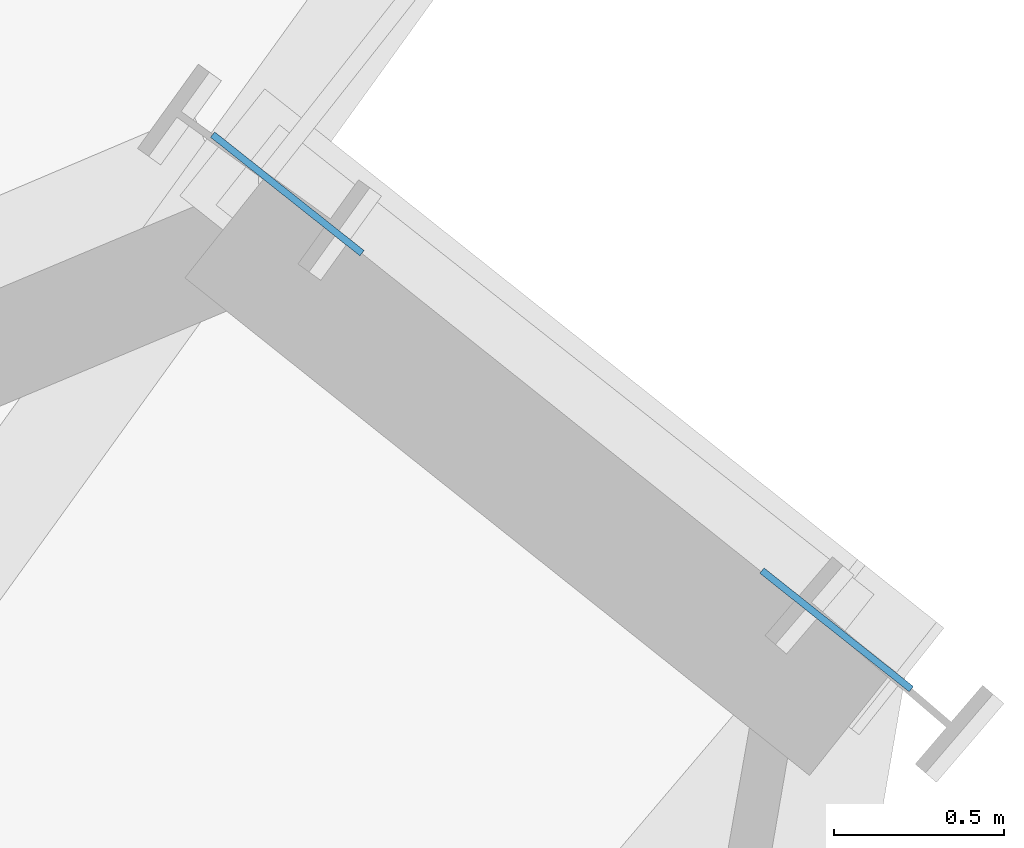
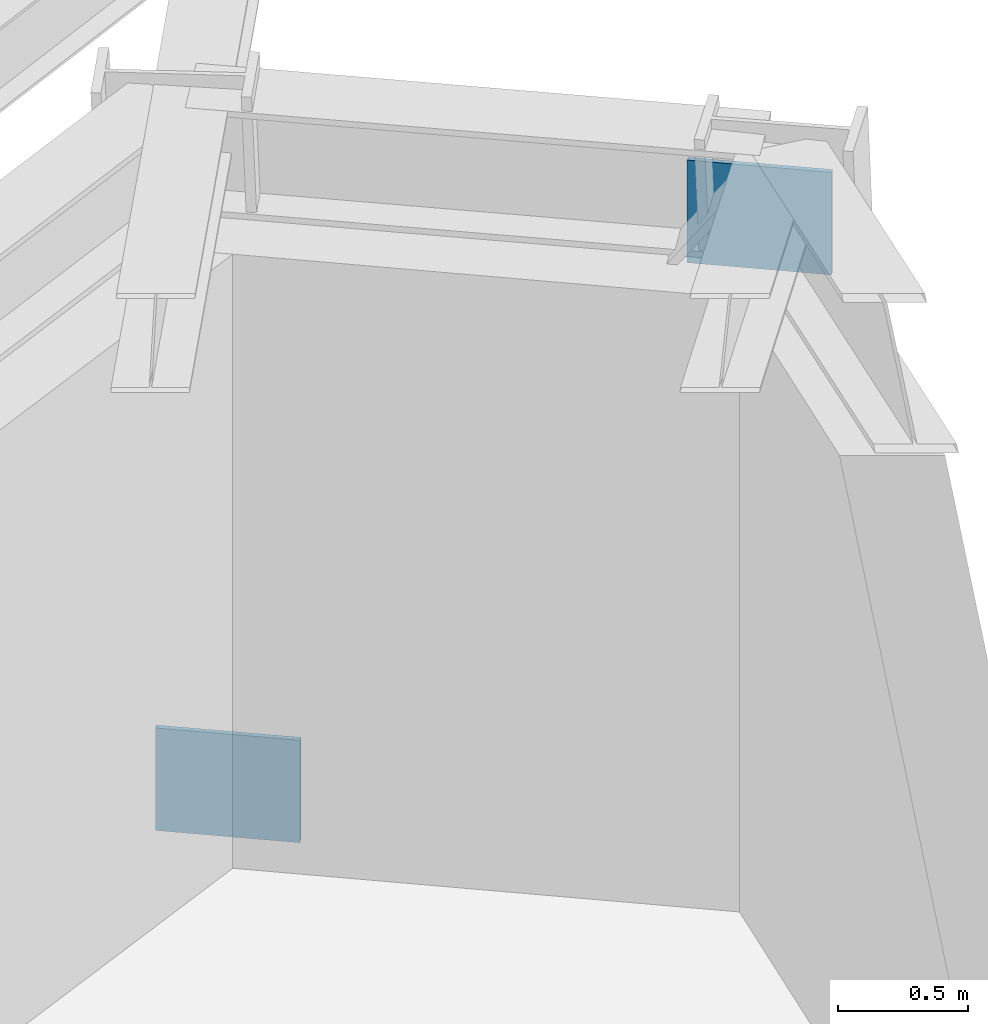
# One storey, part 7 of 15: 2 plates.
"""IFC4 building model written with IfcOpenShell, lengths in metres."""

from ifc_helpers import new_model, si_unit, direction, frame, origin, origin_2d, place, context, subcontext, project, spatial, rectangle, extrude, source, transform, mapped, material, type_object, element, save


model = new_model("IFC4")

# Units and contexts
model_context = context("Model", 3, precision=1e-05, world=origin(), true_north=direction((0.0, 1.0)))
body_context = subcontext(model_context, "Body", "Model", "MODEL_VIEW")
ifc_project = project(units=[si_unit("LENGTHUNIT", "METRE"), si_unit("AREAUNIT", "SQUARE_METRE"), si_unit("VOLUMEUNIT", "CUBIC_METRE"), si_unit("PLANEANGLEUNIT", "RADIAN"), si_unit("MASSUNIT", "GRAM", prefix="KILO")], contexts=[model_context])

# Site, building, storey
site_placement = place(None, origin())
site = spatial("IfcSite", under=ifc_project, at=site_placement, CompositionType="ELEMENT")
building_placement = place(site_placement, origin())
building = spatial("IfcBuilding", under=site, at=building_placement, Name="Olszyna Solenne Hotel", CompositionType="ELEMENT")
storey_placement = place(building_placement, frame((0.0, 0.0, 245.300048828125)))
storey = spatial("IfcBuildingStorey", under=building, at=storey_placement, Name="L65", CompositionType="ELEMENT", Elevation=245.300048828125)

# Plates
ifc_material = material(Name="Steel S355J2", Category="steel")
plate_type = type_object("IfcPlateType", Name="GP-ND2", PredefinedType="USERDEFINED", material=ifc_material)
shared_shape = source(origin(), body_context, "Body", "SweptSolid", [
    extrude(rectangle(XDim=0.56005859375, YDim=0.02001953125, at=origin_2d()), origin(), (0.0, 0.0, 1.0), 0.47998046875),
])
for number, where, z_axis, x_axis, name in (
    (1, (54.56298828125, 49.370361328125, -0.116455078125), (0.0, 0.0, 1.0), (0.783259623423, -0.62169475011, 0.0), "Brace end connection gusset plate GP-ND2 EP-BR-L65-1-1"),
    (2, (56.17626953125, 48.08984375, 2.751220703125), (0.0, 0.0, 1.0), (0.783259623423, -0.62169475011, 0.0), "Brace end connection gusset plate GP-ND2 EP-BR-L65-1-2"),
):
    element("IfcPlate", number, at=place(storey_placement, frame(where, z_axis=z_axis, x_axis=x_axis)), inside=storey, type_object=plate_type, Name=name, ObjectType="GUSSET_PLATE", PredefinedType="USERDEFINED", context=body_context, shape_type="MappedRepresentation", body=[
        mapped(shared_shape, transform((0.0, 0.0, 0.0), x_axis=(1.0, 0.0, 0.0), y_axis=(0.0, 1.0, 0.0), z_axis=(0.0, 0.0, 1.0), scale=1.0)),
    ])

save(model, "model.ifc")
